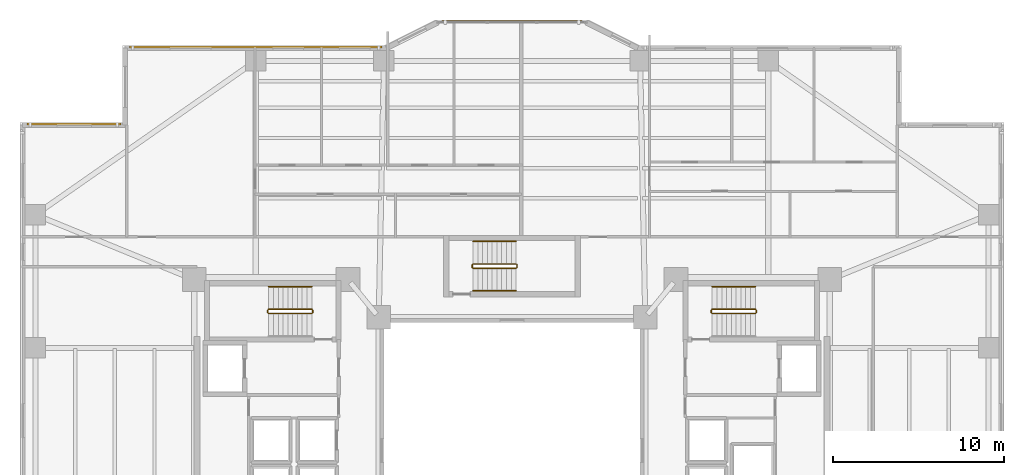
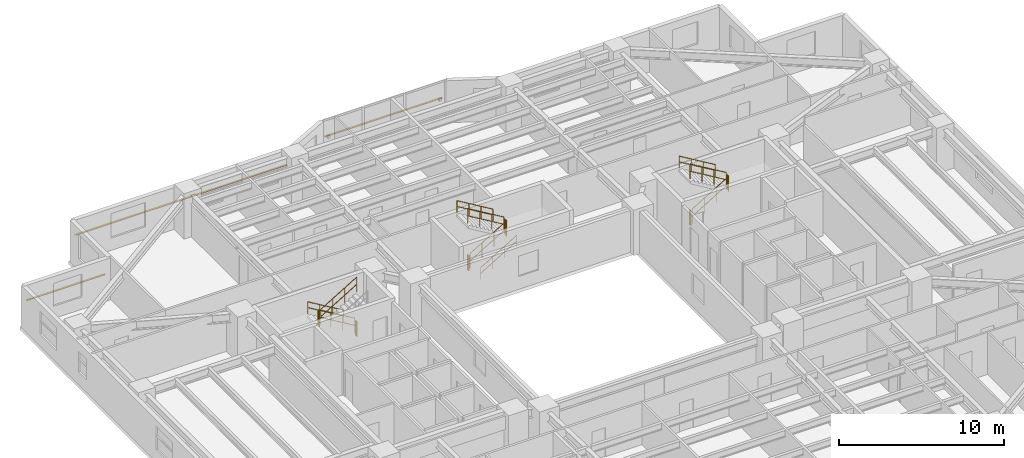
# One storey, part 19 of 20: 16 railings, 3 shading devices.
"""IFC4 building model written with IfcOpenShell, lengths in metres."""

from ifc_helpers import new_model, si_unit, direction, frame, origin, origin_2d, place, context, subcontext, project, spatial, rectangle, circle, extrude, material, material_profile, profile_set, type_object, element, save


model = new_model("IFC4")

# Units and contexts
model_context = context("Model", 3, precision=1e-05, world=origin(), true_north=direction((0.0, 1.0)))
body_context = subcontext(model_context, "Body", "Model", "MODEL_VIEW")
ifc_project = project(units=[si_unit("LENGTHUNIT", "METRE"), si_unit("AREAUNIT", "SQUARE_METRE"), si_unit("VOLUMEUNIT", "CUBIC_METRE"), si_unit("PLANEANGLEUNIT", "RADIAN"), si_unit("MASSUNIT", "GRAM", prefix="KILO")], contexts=[model_context])

# Site, building, storey
site_placement = place(None, origin())
site = spatial("IfcSite", under=ifc_project, at=site_placement, CompositionType="ELEMENT")
building_placement = place(site_placement, origin())
building = spatial("IfcBuilding", under=site, at=building_placement, Name="Tarnavaz Court Tower", CompositionType="ELEMENT")
storey_placement = place(building_placement, frame((0.0, 0.0, 30.699951171875)))
storey = spatial("IfcBuildingStorey", under=building, at=storey_placement, Name="L07", CompositionType="ELEMENT", Elevation=30.699951171875)

# Railings
ifc_material_1 = material(Name="Brushed Stainless Steel", Category="steel")
railing_type_1 = type_object("IfcRailingType", Name="RL-HANDRAIL-900", PredefinedType="HANDRAIL", material=ifc_material_1)
for number, where, name in (
    (1, (-11.719970703125, 9.590087890625, 0.16748046875), "L07 ST-W1 stair handrail 1"),
    (2, (14.239990234375, 9.590087890625, 1.842529296875), "L07 ST-E1 stair handrail 2"),
):
    element("IfcRailing", number, at=place(storey_placement, frame(where)), inside=storey, type_object=railing_type_1, Name=name, PredefinedType="HANDRAIL", context=body_context, shape_type="SweptSolid", body=[
        extrude(circle(Radius=0.02392578125, at=origin_2d()), frame((0.0, 0.0, 0.8759765625), z_axis=(-0.858159760407, 0.0, 0.513382728203), x_axis=(0.0, -1.0, 0.0)), (0.0, 0.0, 1.0), 2.9365234375),
        extrude(circle(Radius=0.02392578125, at=origin_2d()), frame((0.0, 0.0, 0.449951171875), z_axis=(-0.858159760407, 0.0, 0.513382728203), x_axis=(0.0, -1.0, 0.0)), (0.0, 0.0, 1.0), 2.9365234375),
        extrude(circle(Radius=0.02099609375, at=origin_2d()), origin(), (0.0, 0.0, 1.0), 0.851806640625),
        extrude(circle(Radius=0.02099609375, at=origin_2d()), frame((-0.840087890625, 0.0, 0.50244140625)), (0.0, 0.0, 1.0), 0.851806640625),
        extrude(circle(Radius=0.02099609375, at=origin_2d()), frame((-1.679931640625, 0.0, 1.005126953125)), (0.0, 0.0, 1.0), 0.851806640625),
        extrude(circle(Radius=0.02099609375, at=origin_2d()), frame((-2.52001953125, 0.0, 1.507568359375)), (0.0, 0.0, 1.0), 0.851806640625),
    ])
railing_1_placement = place(storey_placement, frame((-2.280029296875, 9.35009765625, 0.16748046875)))
element("IfcRailing", 3, at=railing_1_placement, inside=storey, type_object=railing_type_1, Name="L07 ST-N1 stair handrail 1", PredefinedType="HANDRAIL", context=body_context, shape_type="SweptSolid", body=[
    extrude(circle(Radius=0.02392578125, at=origin_2d()), frame((0.0, 0.0, 0.8759765625), z_axis=(0.858159760407, 0.0, 0.513382728203), x_axis=(0.0, 1.0, 0.0)), (0.0, 0.0, 1.0), 2.9365234375),
    extrude(circle(Radius=0.02392578125, at=origin_2d()), frame((0.0, 0.0, 0.449951171875), z_axis=(0.858159760407, 0.0, 0.513382728203), x_axis=(0.0, 1.0, 0.0)), (0.0, 0.0, 1.0), 2.9365234375),
    extrude(circle(Radius=0.02099609375, at=origin_2d()), origin(), (0.0, 0.0, 1.0), 0.851806640625),
    extrude(circle(Radius=0.02099609375, at=origin_2d()), frame((0.840087890625, 0.0, 0.50244140625)), (0.0, 0.0, 1.0), 0.851806640625),
    extrude(circle(Radius=0.02099609375, at=origin_2d()), frame((1.679931640625, 0.0, 1.005126953125)), (0.0, 0.0, 1.0), 0.851806640625),
    extrude(circle(Radius=0.02099609375, at=origin_2d()), frame((2.52001953125, 0.0, 1.507568359375)), (0.0, 0.0, 1.0), 0.851806640625),
])
railing_2_placement = place(storey_placement, frame((0.239990234375, 12.239990234375, 1.842529296875)))
element("IfcRailing", 4, at=railing_2_placement, inside=storey, type_object=railing_type_1, Name="L07 ST-N1 stair handrail 2", PredefinedType="HANDRAIL", context=body_context, shape_type="SweptSolid", body=[
    extrude(circle(Radius=0.02392578125, at=origin_2d()), frame((0.0, 0.0, 0.8759765625), z_axis=(-0.858159760407, 0.0, 0.513382728203), x_axis=(0.0, -1.0, 0.0)), (0.0, 0.0, 1.0), 2.9365234375),
    extrude(circle(Radius=0.02392578125, at=origin_2d()), frame((0.0, 0.0, 0.449951171875), z_axis=(-0.858159760407, 0.0, 0.513382728203), x_axis=(0.0, -1.0, 0.0)), (0.0, 0.0, 1.0), 2.9365234375),
    extrude(circle(Radius=0.02099609375, at=origin_2d()), origin(), (0.0, 0.0, 1.0), 0.851806640625),
    extrude(circle(Radius=0.02099609375, at=origin_2d()), frame((-0.840087890625, 0.0, 0.50244140625)), (0.0, 0.0, 1.0), 0.851806640625),
    extrude(circle(Radius=0.02099609375, at=origin_2d()), frame((-1.679931640625, 0.0, 1.005126953125)), (0.0, 0.0, 1.0), 0.851806640625),
    extrude(circle(Radius=0.02099609375, at=origin_2d()), frame((-2.52001953125, 0.0, 1.507568359375)), (0.0, 0.0, 1.0), 0.851806640625),
])
ifc_material_2 = material(Name="Galvanized Painted Tubular Steel", Category="steel")
railing_type_2 = type_object("IfcRailingType", Name="RL-STGUARD-1120", PredefinedType="GUARDRAIL", material=ifc_material_2)
railing_3_placement = place(storey_placement, frame((-11.719970703125, 8.27001953125, 0.16748046875)))
element("IfcRailing", 5, at=railing_3_placement, inside=storey, type_object=railing_type_2, Name="L07 ST-W1 stair guard 1", PredefinedType="GUARDRAIL", context=body_context, shape_type="SweptSolid", body=[
    extrude(circle(Radius=0.02392578125, at=origin_2d()), frame((0.0, 0.0, 1.09619140625), z_axis=(-0.858159760407, 0.0, 0.513382728203), x_axis=(0.0, -1.0, 0.0)), (0.0, 0.0, 1.0), 2.9365234375),
    extrude(circle(Radius=0.02392578125, at=origin_2d()), frame((0.0, 0.0, 0.56005859375), z_axis=(-0.858159760407, 0.0, 0.513382728203), x_axis=(0.0, -1.0, 0.0)), (0.0, 0.0, 1.0), 2.9365234375),
    extrude(circle(Radius=0.02099609375, at=origin_2d()), origin(), (0.0, 0.0, 1.0), 1.072021484375),
    extrude(circle(Radius=0.02099609375, at=origin_2d()), frame((-0.840087890625, 0.0, 0.50244140625)), (0.0, 0.0, 1.0), 1.072021484375),
    extrude(circle(Radius=0.02099609375, at=origin_2d()), frame((-1.679931640625, 0.0, 1.005126953125)), (0.0, 0.0, 1.0), 1.072021484375),
    extrude(circle(Radius=0.02099609375, at=origin_2d()), frame((-2.52001953125, 0.0, 1.507568359375)), (0.0, 0.0, 1.0), 1.072021484375),
])
railing_4_placement = place(storey_placement, frame((-14.2900390625, 8.219970703125, 1.675048828125)))
element("IfcRailing", 6, at=railing_4_placement, inside=storey, type_object=railing_type_2, Name="L07 ST-W1 stair guard 2", PredefinedType="GUARDRAIL", context=body_context, shape_type="SweptSolid", body=[
    extrude(circle(Radius=0.02392578125, at=origin_2d()), frame((0.0, 0.0, 1.09619140625), z_axis=(0.0, -1.0, 0.0), x_axis=(1.0, 0.0, 0.0)), (0.0, 0.0, 1.0), 0.14990234375),
    extrude(circle(Radius=0.02392578125, at=origin_2d()), frame((0.0, 0.0, 0.56005859375), z_axis=(0.0, -1.0, 0.0), x_axis=(1.0, 0.0, 0.0)), (0.0, 0.0, 1.0), 0.14990234375),
    extrude(circle(Radius=0.02099609375, at=origin_2d()), origin(), (0.0, 0.0, 1.0), 1.072021484375),
    extrude(circle(Radius=0.02099609375, at=origin_2d()), frame((0.0, -0.14990234375, 0.0)), (0.0, 0.0, 1.0), 1.072021484375),
])
railing_5_placement = place(storey_placement, frame((-14.239990234375, 8.02001953125, 1.842529296875)))
element("IfcRailing", 7, at=railing_5_placement, inside=storey, type_object=railing_type_2, Name="L07 ST-W1 stair guard 3", PredefinedType="GUARDRAIL", context=body_context, shape_type="SweptSolid", body=[
    extrude(circle(Radius=0.02392578125, at=origin_2d()), frame((0.0, 0.0, 1.09619140625), z_axis=(0.858159760407, 0.0, 0.513382728203), x_axis=(0.0, 1.0, 0.0)), (0.0, 0.0, 1.0), 2.9365234375),
    extrude(circle(Radius=0.02392578125, at=origin_2d()), frame((0.0, 0.0, 0.56005859375), z_axis=(0.858159760407, 0.0, 0.513382728203), x_axis=(0.0, 1.0, 0.0)), (0.0, 0.0, 1.0), 2.9365234375),
    extrude(circle(Radius=0.02099609375, at=origin_2d()), origin(), (0.0, 0.0, 1.0), 1.072021484375),
    extrude(circle(Radius=0.02099609375, at=origin_2d()), frame((0.840087890625, 0.0, 0.50244140625)), (0.0, 0.0, 1.0), 1.072021484375),
    extrude(circle(Radius=0.02099609375, at=origin_2d()), frame((1.679931640625, 0.0, 1.005126953125)), (0.0, 0.0, 1.0), 1.072021484375),
    extrude(circle(Radius=0.02099609375, at=origin_2d()), frame((2.52001953125, 0.0, 1.507568359375)), (0.0, 0.0, 1.0), 1.072021484375),
])
railing_6_placement = place(storey_placement, frame((-11.669921875, 8.219970703125, 0.0)))
element("IfcRailing", 8, at=railing_6_placement, inside=storey, type_object=railing_type_2, Name="L07 ST-W1 stair guard 4", PredefinedType="GUARDRAIL", context=body_context, shape_type="SweptSolid", body=[
    extrude(circle(Radius=0.02392578125, at=origin_2d()), frame((0.0, 0.0, 1.09619140625), z_axis=(0.0, -1.0, 0.0), x_axis=(1.0, 0.0, 0.0)), (0.0, 0.0, 1.0), 0.14990234375),
    extrude(circle(Radius=0.02392578125, at=origin_2d()), frame((0.0, 0.0, 0.56005859375), z_axis=(0.0, -1.0, 0.0), x_axis=(1.0, 0.0, 0.0)), (0.0, 0.0, 1.0), 0.14990234375),
    extrude(circle(Radius=0.02099609375, at=origin_2d()), origin(), (0.0, 0.0, 1.0), 1.072021484375),
    extrude(circle(Radius=0.02099609375, at=origin_2d()), frame((0.0, -0.14990234375, 0.0)), (0.0, 0.0, 1.0), 1.072021484375),
])
railing_7_placement = place(storey_placement, frame((11.719970703125, 8.02001953125, 0.16748046875)))
element("IfcRailing", 9, at=railing_7_placement, inside=storey, type_object=railing_type_2, Name="L07 ST-E1 stair guard 1", PredefinedType="GUARDRAIL", context=body_context, shape_type="SweptSolid", body=[
    extrude(circle(Radius=0.02392578125, at=origin_2d()), frame((0.0, 0.0, 1.09619140625), z_axis=(0.858159760407, 0.0, 0.513382728203), x_axis=(0.0, 1.0, 0.0)), (0.0, 0.0, 1.0), 2.9365234375),
    extrude(circle(Radius=0.02392578125, at=origin_2d()), frame((0.0, 0.0, 0.56005859375), z_axis=(0.858159760407, 0.0, 0.513382728203), x_axis=(0.0, 1.0, 0.0)), (0.0, 0.0, 1.0), 2.9365234375),
    extrude(circle(Radius=0.02099609375, at=origin_2d()), origin(), (0.0, 0.0, 1.0), 1.072021484375),
    extrude(circle(Radius=0.02099609375, at=origin_2d()), frame((0.840087890625, 0.0, 0.50244140625)), (0.0, 0.0, 1.0), 1.072021484375),
    extrude(circle(Radius=0.02099609375, at=origin_2d()), frame((1.679931640625, 0.0, 1.005126953125)), (0.0, 0.0, 1.0), 1.072021484375),
    extrude(circle(Radius=0.02099609375, at=origin_2d()), frame((2.52001953125, 0.0, 1.507568359375)), (0.0, 0.0, 1.0), 1.072021484375),
])
railing_8_placement = place(storey_placement, frame((14.2900390625, 8.070068359375, 1.675048828125)))
element("IfcRailing", 10, at=railing_8_placement, inside=storey, type_object=railing_type_2, Name="L07 ST-E1 stair guard 2", PredefinedType="GUARDRAIL", context=body_context, shape_type="SweptSolid", body=[
    extrude(circle(Radius=0.02392578125, at=origin_2d()), frame((0.0, 0.0, 1.09619140625), z_axis=(0.0, 1.0, 0.0), x_axis=(-1.0, 0.0, 0.0)), (0.0, 0.0, 1.0), 0.14990234375),
    extrude(circle(Radius=0.02392578125, at=origin_2d()), frame((0.0, 0.0, 0.56005859375), z_axis=(0.0, 1.0, 0.0), x_axis=(-1.0, 0.0, 0.0)), (0.0, 0.0, 1.0), 0.14990234375),
    extrude(circle(Radius=0.02099609375, at=origin_2d()), origin(), (0.0, 0.0, 1.0), 1.072021484375),
    extrude(circle(Radius=0.02099609375, at=origin_2d()), frame((0.0, 0.14990234375, 0.0)), (0.0, 0.0, 1.0), 1.072021484375),
])
railing_9_placement = place(storey_placement, frame((14.239990234375, 8.27001953125, 1.842529296875)))
element("IfcRailing", 11, at=railing_9_placement, inside=storey, type_object=railing_type_2, Name="L07 ST-E1 stair guard 3", PredefinedType="GUARDRAIL", context=body_context, shape_type="SweptSolid", body=[
    extrude(circle(Radius=0.02392578125, at=origin_2d()), frame((0.0, 0.0, 1.09619140625), z_axis=(-0.858159760407, 0.0, 0.513382728203), x_axis=(0.0, -1.0, 0.0)), (0.0, 0.0, 1.0), 2.9365234375),
    extrude(circle(Radius=0.02392578125, at=origin_2d()), frame((0.0, 0.0, 0.56005859375), z_axis=(-0.858159760407, 0.0, 0.513382728203), x_axis=(0.0, -1.0, 0.0)), (0.0, 0.0, 1.0), 2.9365234375),
    extrude(circle(Radius=0.02099609375, at=origin_2d()), origin(), (0.0, 0.0, 1.0), 1.072021484375),
    extrude(circle(Radius=0.02099609375, at=origin_2d()), frame((-0.840087890625, 0.0, 0.50244140625)), (0.0, 0.0, 1.0), 1.072021484375),
    extrude(circle(Radius=0.02099609375, at=origin_2d()), frame((-1.679931640625, 0.0, 1.005126953125)), (0.0, 0.0, 1.0), 1.072021484375),
    extrude(circle(Radius=0.02099609375, at=origin_2d()), frame((-2.52001953125, 0.0, 1.507568359375)), (0.0, 0.0, 1.0), 1.072021484375),
])
railing_10_placement = place(storey_placement, frame((11.669921875, 8.070068359375, 0.0)))
element("IfcRailing", 12, at=railing_10_placement, inside=storey, type_object=railing_type_2, Name="L07 ST-E1 stair guard 4", PredefinedType="GUARDRAIL", context=body_context, shape_type="SweptSolid", body=[
    extrude(circle(Radius=0.02392578125, at=origin_2d()), frame((0.0, 0.0, 1.09619140625), z_axis=(0.0, 1.0, 0.0), x_axis=(-1.0, 0.0, 0.0)), (0.0, 0.0, 1.0), 0.14990234375),
    extrude(circle(Radius=0.02392578125, at=origin_2d()), frame((0.0, 0.0, 0.56005859375), z_axis=(0.0, 1.0, 0.0), x_axis=(-1.0, 0.0, 0.0)), (0.0, 0.0, 1.0), 0.14990234375),
    extrude(circle(Radius=0.02099609375, at=origin_2d()), origin(), (0.0, 0.0, 1.0), 1.072021484375),
    extrude(circle(Radius=0.02099609375, at=origin_2d()), frame((0.0, 0.14990234375, 0.0)), (0.0, 0.0, 1.0), 1.072021484375),
])
railing_11_placement = place(storey_placement, frame((-2.280029296875, 10.669921875, 0.16748046875)))
element("IfcRailing", 13, at=railing_11_placement, inside=storey, type_object=railing_type_2, Name="L07 ST-N1 stair guard 1", PredefinedType="GUARDRAIL", context=body_context, shape_type="SweptSolid", body=[
    extrude(circle(Radius=0.02392578125, at=origin_2d()), frame((0.0, 0.0, 1.09619140625), z_axis=(0.858159760407, 0.0, 0.513382728203), x_axis=(0.0, 1.0, 0.0)), (0.0, 0.0, 1.0), 2.9365234375),
    extrude(circle(Radius=0.02392578125, at=origin_2d()), frame((0.0, 0.0, 0.56005859375), z_axis=(0.858159760407, 0.0, 0.513382728203), x_axis=(0.0, 1.0, 0.0)), (0.0, 0.0, 1.0), 2.9365234375),
    extrude(circle(Radius=0.02099609375, at=origin_2d()), origin(), (0.0, 0.0, 1.0), 1.072021484375),
    extrude(circle(Radius=0.02099609375, at=origin_2d()), frame((0.840087890625, 0.0, 0.50244140625)), (0.0, 0.0, 1.0), 1.072021484375),
    extrude(circle(Radius=0.02099609375, at=origin_2d()), frame((1.679931640625, 0.0, 1.005126953125)), (0.0, 0.0, 1.0), 1.072021484375),
    extrude(circle(Radius=0.02099609375, at=origin_2d()), frame((2.52001953125, 0.0, 1.507568359375)), (0.0, 0.0, 1.0), 1.072021484375),
])
railing_12_placement = place(storey_placement, frame((0.2900390625, 10.719970703125, 1.675048828125)))
element("IfcRailing", 14, at=railing_12_placement, inside=storey, type_object=railing_type_2, Name="L07 ST-N1 stair guard 2", PredefinedType="GUARDRAIL", context=body_context, shape_type="SweptSolid", body=[
    extrude(circle(Radius=0.02392578125, at=origin_2d()), frame((0.0, 0.0, 1.09619140625), z_axis=(0.0, 1.0, 0.0), x_axis=(-1.0, 0.0, 0.0)), (0.0, 0.0, 1.0), 0.150146484375),
    extrude(circle(Radius=0.02392578125, at=origin_2d()), frame((0.0, 0.0, 0.56005859375), z_axis=(0.0, 1.0, 0.0), x_axis=(-1.0, 0.0, 0.0)), (0.0, 0.0, 1.0), 0.150146484375),
    extrude(circle(Radius=0.02099609375, at=origin_2d()), origin(), (0.0, 0.0, 1.0), 1.072021484375),
    extrude(circle(Radius=0.02099609375, at=origin_2d()), frame((0.0, 0.150146484375, 0.0)), (0.0, 0.0, 1.0), 1.072021484375),
])
railing_13_placement = place(storey_placement, frame((0.239990234375, 10.919921875, 1.842529296875)))
element("IfcRailing", 15, at=railing_13_placement, inside=storey, type_object=railing_type_2, Name="L07 ST-N1 stair guard 3", PredefinedType="GUARDRAIL", context=body_context, shape_type="SweptSolid", body=[
    extrude(circle(Radius=0.02392578125, at=origin_2d()), frame((0.0, 0.0, 1.09619140625), z_axis=(-0.858159760407, 0.0, 0.513382728203), x_axis=(0.0, -1.0, 0.0)), (0.0, 0.0, 1.0), 2.9365234375),
    extrude(circle(Radius=0.02392578125, at=origin_2d()), frame((0.0, 0.0, 0.56005859375), z_axis=(-0.858159760407, 0.0, 0.513382728203), x_axis=(0.0, -1.0, 0.0)), (0.0, 0.0, 1.0), 2.9365234375),
    extrude(circle(Radius=0.02099609375, at=origin_2d()), origin(), (0.0, 0.0, 1.0), 1.072021484375),
    extrude(circle(Radius=0.02099609375, at=origin_2d()), frame((-0.840087890625, 0.0, 0.50244140625)), (0.0, 0.0, 1.0), 1.072021484375),
    extrude(circle(Radius=0.02099609375, at=origin_2d()), frame((-1.679931640625, 0.0, 1.005126953125)), (0.0, 0.0, 1.0), 1.072021484375),
    extrude(circle(Radius=0.02099609375, at=origin_2d()), frame((-2.52001953125, 0.0, 1.507568359375)), (0.0, 0.0, 1.0), 1.072021484375),
])
railing_14_placement = place(storey_placement, frame((-2.330078125, 10.719970703125, 0.0)))
element("IfcRailing", 16, at=railing_14_placement, inside=storey, type_object=railing_type_2, Name="L07 ST-N1 stair guard 4", PredefinedType="GUARDRAIL", context=body_context, shape_type="SweptSolid", body=[
    extrude(circle(Radius=0.02392578125, at=origin_2d()), frame((0.0, 0.0, 1.09619140625), z_axis=(0.0, 1.0, 0.0), x_axis=(-1.0, 0.0, 0.0)), (0.0, 0.0, 1.0), 0.150146484375),
    extrude(circle(Radius=0.02392578125, at=origin_2d()), frame((0.0, 0.0, 0.56005859375), z_axis=(0.0, 1.0, 0.0), x_axis=(-1.0, 0.0, 0.0)), (0.0, 0.0, 1.0), 0.150146484375),
    extrude(circle(Radius=0.02099609375, at=origin_2d()), origin(), (0.0, 0.0, 1.0), 1.072021484375),
    extrude(circle(Radius=0.02099609375, at=origin_2d()), frame((0.0, 0.150146484375, 0.0)), (0.0, 0.0, 1.0), 1.072021484375),
])

# Shading devices
ifc_material_3 = material(Name="Kiln-Fired Khorasan Terracotta Ceramic", Category="masonry")
ifc_material_profile = material_profile(ifc_material_3, rectangle(XDim=0.1201171875, YDim=0.06005859375, at=origin_2d()), Name="TC BAGUETTE 120X60")
ifc_profile_set = profile_set([ifc_material_profile], Name="Kiln-Fired Khorasan Terracotta Ceramic")
shading_device_type = type_object("IfcShadingDeviceType", Name="SD-BAG-120", PredefinedType="USERDEFINED", material=ifc_profile_set)
shading_device_1_placement = place(storey_placement, frame((-28.39990234375, 19.110107421875, 1.85009765625), z_axis=(1.0, 0.0, 0.0), x_axis=(0.0, 1.0, 0.0)))
element("IfcShadingDevice", 17, at=shading_device_1_placement, inside=storey, type_object=shading_device_type, Name="L07 Terracotta Baguette Screen FBG03", ObjectType="BAGUETTE", PredefinedType="USERDEFINED", context=body_context, shape_type="SweptSolid", body=[
    extrude(rectangle(XDim=0.1201171875, YDim=0.06005859375, at=origin_2d()), origin(), (0.0, 0.0, 1.0), 5.5),
])
shading_device_2_placement = place(storey_placement, frame((-22.39990234375, 23.610107421875, 1.85009765625), z_axis=(1.0, 0.0, 0.0), x_axis=(0.0, 1.0, 0.0)))
element("IfcShadingDevice", 18, at=shading_device_2_placement, inside=storey, type_object=shading_device_type, Name="L07 Terracotta Baguette Screen FBG05", ObjectType="BAGUETTE", PredefinedType="USERDEFINED", context=body_context, shape_type="SweptSolid", body=[
    extrude(rectangle(XDim=0.1201171875, YDim=0.06005859375, at=origin_2d()), origin(), (0.0, 0.0, 1.0), 14.7998046875),
])
shading_device_3_placement = place(storey_placement, frame((-4.10009765625, 25.110107421875, 1.800048828125), z_axis=(1.0, 0.0, 0.0), x_axis=(0.0, 1.0, 0.0)))
element("IfcShadingDevice", 19, at=shading_device_3_placement, inside=storey, type_object=shading_device_type, Name="L07 Terracotta Baguette Screen PBG7", ObjectType="BAGUETTE", PredefinedType="USERDEFINED", context=body_context, shape_type="SweptSolid", body=[
    extrude(rectangle(XDim=0.1201171875, YDim=0.06005859375, at=origin_2d()), origin(), (0.0, 0.0, 1.0), 8.2001953125),
])

save(model, "model.ifc")
